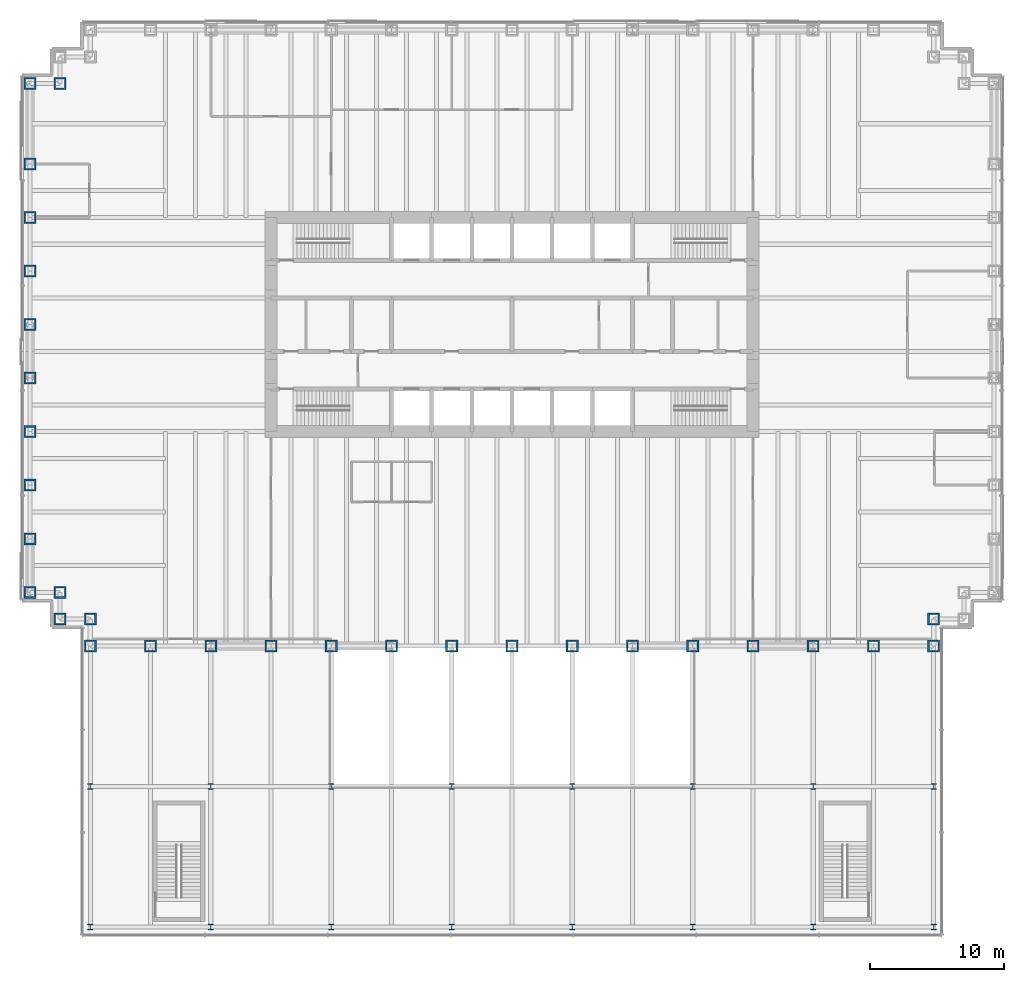
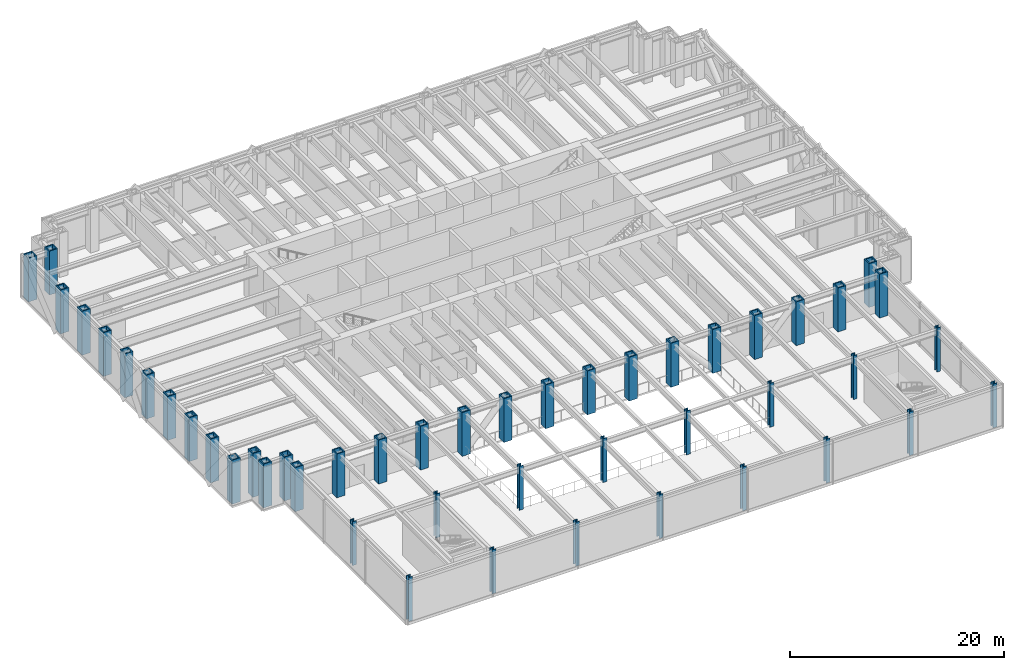
# One storey, part 1 of 17: 46 columns.
"""IFC4 building model written with IfcOpenShell, lengths in metres."""

from ifc_helpers import new_model, si_unit, direction, frame, origin, origin_2d, place, context, subcontext, project, spatial, hollow_rectangle, i_section, extrude, material, material_profile, profile_set, type_object, element, save


model = new_model("IFC4")

# Units and contexts
model_context = context("Model", 3, precision=1e-05, world=origin(), true_north=direction((0.0, 1.0)))
body_context = subcontext(model_context, "Body", "Model", "MODEL_VIEW")
ifc_project = project(units=[si_unit("LENGTHUNIT", "METRE"), si_unit("AREAUNIT", "SQUARE_METRE"), si_unit("VOLUMEUNIT", "CUBIC_METRE"), si_unit("PLANEANGLEUNIT", "RADIAN"), si_unit("MASSUNIT", "GRAM", prefix="KILO")], contexts=[model_context])

# Site, building, storey
site_placement = place(None, origin())
site = spatial("IfcSite", under=ifc_project, at=site_placement, CompositionType="ELEMENT")
building_placement = place(site_placement, origin())
building = spatial("IfcBuilding", under=site, at=building_placement, Name="Rheinbord Bourse Tower", CompositionType="ELEMENT")
storey_placement = place(building_placement, frame((0.0, 0.0, 18.0)))
storey = spatial("IfcBuildingStorey", under=building, at=storey_placement, Name="L03", CompositionType="ELEMENT", Elevation=18.0)

# Columns
ifc_material_1 = material(Name="Steel S460", Category="steel")
ifc_material_profile_1 = material_profile(ifc_material_1, i_section(OverallWidth=0.41796875, OverallDepth=0.455078125, WebThickness=0.0419921875, FlangeThickness=0.067626953125, at=origin_2d()), Name="HD 400x551")
ifc_profile_set_1 = profile_set([ifc_material_profile_1], Name="Steel S460")
column_type_1 = type_object("IfcColumnType", Name="PODIUM COLUMN HD 400x551", PredefinedType="COLUMN", material=ifc_profile_set_1)
for number, where, z_axis, x_axis, name in (
    (1, (4.5, -21.0, 0.0), (0.0, 0.0, 1.0), (1.0, 0.0, 0.0), "Podium column 4.5 / -21 L03"),
    (2, (4.5, -10.5, 0.0), (0.0, 0.0, 1.0), (1.0, 0.0, 0.0), "Podium column 4.5 / -10.5 L03"),
    (3, (13.5, -21.0, 0.0), (0.0, 0.0, 1.0), (1.0, 0.0, 0.0), "Podium column 13.5 / -21 L03"),
    (4, (13.5, -10.5, 0.0), (0.0, 0.0, 1.0), (1.0, 0.0, 0.0), "Podium column 13.5 / -10.5 L03"),
    (5, (22.5, -21.0, 0.0), (0.0, 0.0, 1.0), (1.0, 0.0, 0.0), "Podium column 22.5 / -21 L03"),
    (6, (22.5, -10.5, 0.0), (0.0, 0.0, 1.0), (1.0, 0.0, 0.0), "Podium column 22.5 / -10.5 L03"),
    (7, (31.5, -21.0, 0.0), (0.0, 0.0, 1.0), (1.0, 0.0, 0.0), "Podium column 31.5 / -21 L03"),
    (8, (31.5, -10.5, 0.0), (0.0, 0.0, 1.0), (1.0, 0.0, 0.0), "Podium column 31.5 / -10.5 L03"),
    (9, (40.5, -21.0, 0.0), (0.0, 0.0, 1.0), (1.0, 0.0, 0.0), "Podium column 40.5 / -21 L03"),
    (10, (40.5, -10.5, 0.0), (0.0, 0.0, 1.0), (1.0, 0.0, 0.0), "Podium column 40.5 / -10.5 L03"),
    (11, (49.5, -21.0, 0.0), (0.0, 0.0, 1.0), (1.0, 0.0, 0.0), "Podium column 49.5 / -21 L03"),
    (12, (49.5, -10.5, 0.0), (0.0, 0.0, 1.0), (1.0, 0.0, 0.0), "Podium column 49.5 / -10.5 L03"),
    (13, (58.5, -21.0, 0.0), (0.0, 0.0, 1.0), (1.0, 0.0, 0.0), "Podium column 58.5 / -21 L03"),
    (14, (58.5, -10.5, 0.0), (0.0, 0.0, 1.0), (1.0, 0.0, 0.0), "Podium column 58.5 / -10.5 L03"),
    (15, (67.5, -21.0, 0.0), (0.0, 0.0, 1.0), (1.0, 0.0, 0.0), "Podium column 67.5 / -21 L03"),
    (16, (67.5, -10.5, 0.0), (0.0, 0.0, 1.0), (1.0, 0.0, 0.0), "Podium column 67.5 / -10.5 L03"),
):
    element("IfcColumn", number, at=place(storey_placement, frame(where, z_axis=z_axis, x_axis=x_axis)), inside=storey, type_object=column_type_1, Name=name, PredefinedType="COLUMN", context=body_context, shape_type="SweptSolid", body=[
        extrude(i_section(OverallWidth=0.41796875, OverallDepth=0.455078125, WebThickness=0.0419921875, FlangeThickness=0.067626953125, at=origin_2d()), origin(), (0.0, 0.0, 1.0), 5.0),
    ])
ifc_material_2 = material(Name="Steel S460M", Category="steel")
ifc_material_profile_2 = material_profile(ifc_material_2, hollow_rectangle(XDim=0.89990234375, YDim=0.89990234375, WallThickness=0.1201171875, at=origin_2d()), Name="BOX 900x900x120")
ifc_profile_set_2 = profile_set([ifc_material_profile_2], Name="Steel S460M")
column_type_2 = type_object("IfcColumnType", Name="TUBE COLUMN BOX 900x900x120", PredefinedType="COLUMN", material=ifc_profile_set_2)
for number, where, z_axis, x_axis, name in (
    (17, (4.5, 0.0, 0.0), (0.0, 0.0, 1.0), (0.0, 1.0, 0.0), "Column SW-E L03"),
    (18, (9.0, 0.0, 0.0), (0.0, 0.0, 1.0), (0.0, 1.0, 0.0), "Column S-9 L03"),
    (19, (13.5, 0.0, 0.0), (0.0, 0.0, 1.0), (0.0, 1.0, 0.0), "Column S-13.5 L03"),
    (20, (18.0, 0.0, 0.0), (0.0, 0.0, 1.0), (0.0, 1.0, 0.0), "Column S-18 L03"),
    (21, (22.5, 0.0, 0.0), (0.0, 0.0, 1.0), (0.0, 1.0, 0.0), "Column S-22.5 L03"),
    (22, (27.0, 0.0, 0.0), (0.0, 0.0, 1.0), (0.0, 1.0, 0.0), "Column S-27 L03"),
    (23, (31.5, 0.0, 0.0), (0.0, 0.0, 1.0), (0.0, 1.0, 0.0), "Column S-31.5 L03"),
    (24, (36.0, 0.0, 0.0), (0.0, 0.0, 1.0), (0.0, 1.0, 0.0), "Column S-36 L03"),
    (25, (40.5, 0.0, 0.0), (0.0, 0.0, 1.0), (0.0, 1.0, 0.0), "Column S-40.5 L03"),
    (26, (45.0, 0.0, 0.0), (0.0, 0.0, 1.0), (0.0, 1.0, 0.0), "Column S-45 L03"),
    (27, (49.5, 0.0, 0.0), (0.0, 0.0, 1.0), (0.0, 1.0, 0.0), "Column S-49.5 L03"),
    (28, (54.0, 0.0, 0.0), (0.0, 0.0, 1.0), (0.0, 1.0, 0.0), "Column S-54 L03"),
    (29, (58.5, 0.0, 0.0), (0.0, 0.0, 1.0), (0.0, 1.0, 0.0), "Column S-58.5 L03"),
    (30, (63.0, 0.0, 0.0), (0.0, 0.0, 1.0), (0.0, 1.0, 0.0), "Column S-63 L03"),
    (31, (67.5, 0.0, 0.0), (0.0, 0.0, 1.0), (0.0, 1.0, 0.0), "Column SE-E L03"),
    (32, (67.5, 2.0, 0.0), (0.0, 0.0, 1.0), (0.0, 1.0, 0.0), "Column SE-D L03"),
    (33, (2.25, 42.0, 0.0), (0.0, 0.0, 1.0), (1.0, 0.0, 0.0), "Column NW-B L03"),
    (34, (0.0, 42.0, 0.0), (0.0, 0.0, 1.0), (1.0, 0.0, 0.0), "Column NW-A L03"),
    (35, (0.0, 36.0, 0.0), (0.0, 0.0, 1.0), (1.0, 0.0, 0.0), "Column W-36 L03"),
    (36, (0.0, 32.0, 0.0), (0.0, 0.0, 1.0), (1.0, 0.0, 0.0), "Column W-32 L03"),
    (37, (0.0, 28.0, 0.0), (0.0, 0.0, 1.0), (1.0, 0.0, 0.0), "Column W-28 L03"),
    (38, (0.0, 24.0, 0.0), (0.0, 0.0, 1.0), (1.0, 0.0, 0.0), "Column W-24 L03"),
    (39, (0.0, 20.0, 0.0), (0.0, 0.0, 1.0), (1.0, 0.0, 0.0), "Column W-20 L03"),
    (40, (0.0, 16.0, 0.0), (0.0, 0.0, 1.0), (1.0, 0.0, 0.0), "Column W-16 L03"),
    (41, (0.0, 12.0, 0.0), (0.0, 0.0, 1.0), (1.0, 0.0, 0.0), "Column W-12 L03"),
    (42, (0.0, 8.0, 0.0), (0.0, 0.0, 1.0), (1.0, 0.0, 0.0), "Column W-8 L03"),
    (43, (0.0, 4.0, 0.0), (0.0, 0.0, 1.0), (1.0, 0.0, 0.0), "Column SW-A L03"),
    (44, (2.25, 4.0, 0.0), (0.0, 0.0, 1.0), (1.0, 0.0, 0.0), "Column SW-B L03"),
    (45, (2.25, 2.0, 0.0), (0.0, 0.0, 1.0), (1.0, 0.0, 0.0), "Column SW-C L03"),
    (46, (4.5, 2.0, 0.0), (0.0, 0.0, 1.0), (0.0, 1.0, 0.0), "Column SW-D L03"),
):
    element("IfcColumn", number, at=place(storey_placement, frame(where, z_axis=z_axis, x_axis=x_axis)), inside=storey, type_object=column_type_2, Name=name, PredefinedType="COLUMN", context=body_context, shape_type="SweptSolid", body=[
        extrude(hollow_rectangle(XDim=0.89990234375, YDim=0.89990234375, WallThickness=0.1201171875, at=origin_2d()), origin(), (0.0, 0.0, 1.0), 5.0),
    ])

save(model, "model.ifc")
